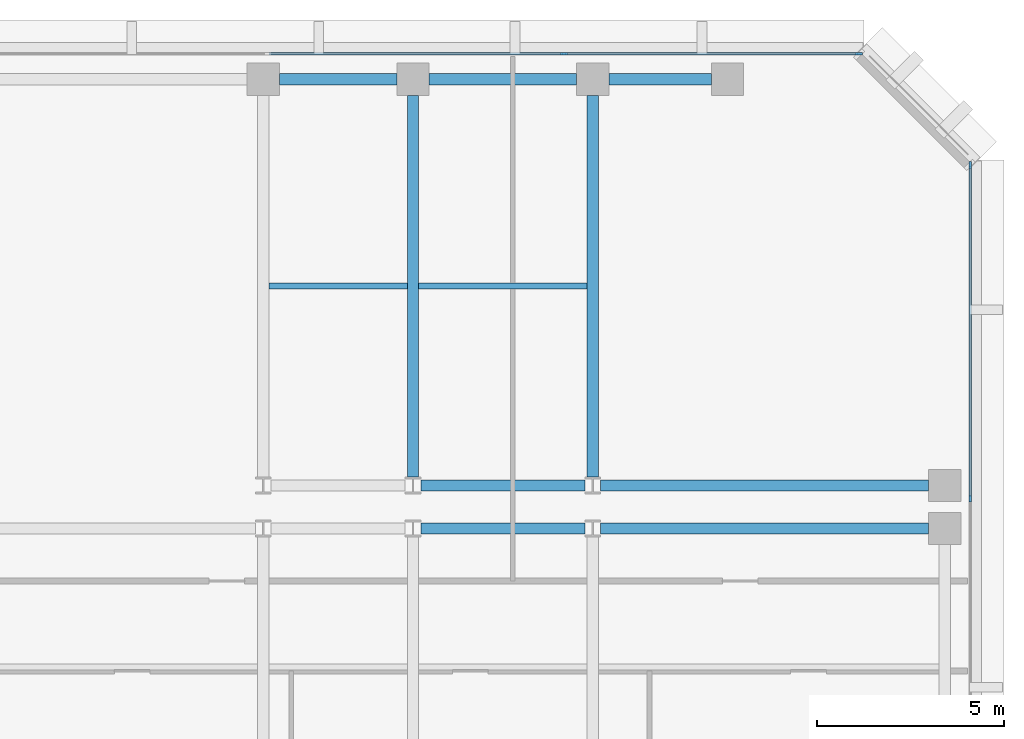
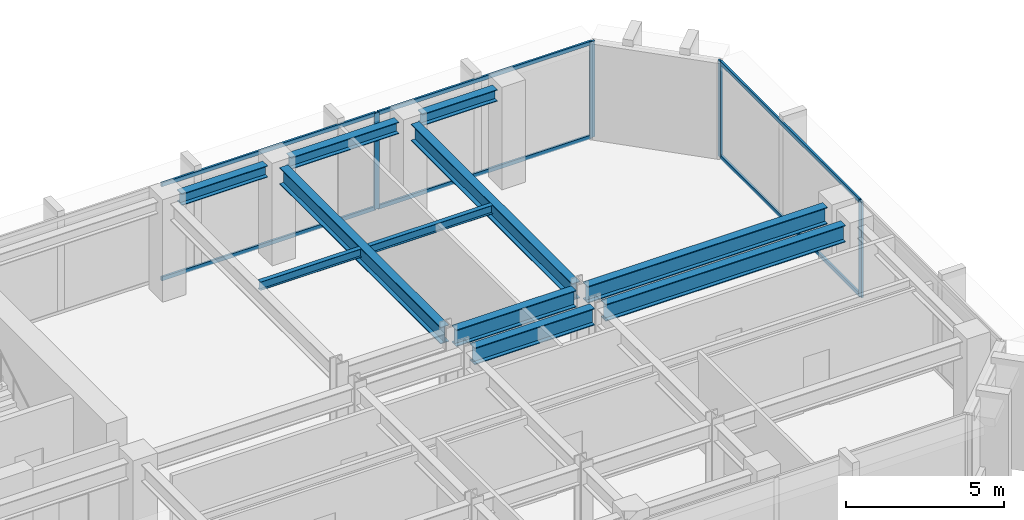
# One storey, part 5 of 11: 11 beams, 10 members, 2 elements without a shape of their own.
"""IFC4 building model written with IfcOpenShell, lengths in metres."""

from ifc_helpers import new_model, si_unit, direction, frame, origin, origin_2d, place, context, subcontext, project, spatial, rectangle, i_section, extrude, material, layer, layer_set, material_profile, profile_set, type_object, element, aggregate, save


model = new_model("IFC4")

# Units and contexts
model_context = context("Model", 3, precision=1e-05, world=origin(), true_north=direction((0.0, 1.0)))
body_context = subcontext(model_context, "Body", "Model", "MODEL_VIEW")
ifc_project = project(units=[si_unit("LENGTHUNIT", "METRE"), si_unit("AREAUNIT", "SQUARE_METRE"), si_unit("VOLUMEUNIT", "CUBIC_METRE"), si_unit("PLANEANGLEUNIT", "RADIAN"), si_unit("MASSUNIT", "GRAM", prefix="KILO")], contexts=[model_context])

# Site, building, storey
site_placement = place(None, origin())
site = spatial("IfcSite", under=ifc_project, at=site_placement, CompositionType="ELEMENT")
building_placement = place(site_placement, origin())
building = spatial("IfcBuilding", under=site, at=building_placement, Name="Kefirva Bronze Tower", CompositionType="ELEMENT")
storey_placement = place(building_placement, frame((0.0, 0.0, 150.81005859375)))
storey = spatial("IfcBuildingStorey", under=building, at=storey_placement, Name="L36", CompositionType="ELEMENT", Elevation=150.81005859375)

# Curtain wall, members
ifc_material_1 = material(Name="Bronze anodised aluminium", Category="aluminium")
ifc_layer = layer(ifc_material_1, 0.199951171875, Name="Bronze anodised aluminium")
ifc_layer_set = layer_set([ifc_layer], Name="Bronze anodised aluminium")
curtain_wall_type = type_object("IfcCurtainWallType", Name="Unitised Bronze Ribbon Curtain Wall Zone 2", PredefinedType="USERDEFINED", material=ifc_layer_set)
curtain_wall_1_placement = place(storey_placement, origin())
curtain_wall_1 = element("IfcCurtainWall", 1, at=curtain_wall_1_placement, inside=storey, type_object=curtain_wall_type, Name="L36 Curtain Wall 4", ObjectType="UNITISED CURTAIN WALL", PredefinedType="USERDEFINED")
ifc_material_profile_1 = material_profile(ifc_material_1, rectangle(XDim=0.074951171875, YDim=0.179931640625, at=origin_2d()), Name="ALU 75x180")
ifc_profile_set_1 = profile_set([ifc_material_profile_1], Name="Bronze anodised aluminium")
member_type_1 = type_object("IfcMemberType", Name="Bronze Mullion 75x180", PredefinedType="MULLION", material=ifc_profile_set_1)
member_1_placement = place(storey_placement, frame((50.080078125, 34.0, 0.0), z_axis=(0.0, 0.0, 1.0), x_axis=(-1.0, 0.0, 0.0)))
member_1 = element("IfcMember", 2, at=member_1_placement, type_object=member_type_1, Name="CW-02 mullion 2", PredefinedType="MULLION", context=body_context, shape_type="SweptSolid", body=[
    extrude(rectangle(XDim=0.074951171875, YDim=0.179931640625, at=origin_2d()), origin(), (0.0, 0.0, 1.0), 3.7099609375),
])
member_2_placement = place(storey_placement, frame((50.080078125, 42.907470703125, 0.0), z_axis=(0.0, 0.0, 1.0), x_axis=(-1.0, 0.0, 0.0)))
member_2 = element("IfcMember", 3, at=member_2_placement, type_object=member_type_1, Name="CW-02 mullion 3", PredefinedType="MULLION", context=body_context, shape_type="SweptSolid", body=[
    extrude(rectangle(XDim=0.074951171875, YDim=0.179931640625, at=origin_2d()), origin(), (0.0, 0.0, 1.0), 3.7099609375),
])

curtain_wall_2_placement = place(storey_placement, origin())
curtain_wall_2 = element("IfcCurtainWall", 4, at=curtain_wall_2_placement, inside=storey, type_object=curtain_wall_type, Name="L36 Curtain Wall 5", ObjectType="UNITISED CURTAIN WALL", PredefinedType="USERDEFINED")
member_3_placement = place(storey_placement, frame((47.107421875, 45.8798828125, 0.0), z_axis=(0.0, 0.0, 1.0), x_axis=(0.0, -1.0, 0.0)))
member_3 = element("IfcMember", 5, at=member_3_placement, type_object=member_type_1, Name="CW-02 mullion 1", PredefinedType="MULLION", context=body_context, shape_type="SweptSolid", body=[
    extrude(rectangle(XDim=0.074951171875, YDim=0.179931640625, at=origin_2d()), origin(), (0.0, 0.0, 1.0), 3.7099609375),
])
member_4_placement = place(storey_placement, frame((39.231689453125, 45.8798828125, 0.0), z_axis=(0.0, 0.0, 1.0), x_axis=(0.0, -1.0, 0.0)))
member_4 = element("IfcMember", 6, at=member_4_placement, type_object=member_type_1, Name="CW-02 mullion 2", PredefinedType="MULLION", context=body_context, shape_type="SweptSolid", body=[
    extrude(rectangle(XDim=0.074951171875, YDim=0.179931640625, at=origin_2d()), origin(), (0.0, 0.0, 1.0), 3.7099609375),
])

# Member
ifc_material_profile_2 = material_profile(ifc_material_1, rectangle(XDim=0.074951171875, YDim=0.14990234375, at=origin_2d()), Name="ALU 75x150")
ifc_profile_set_2 = profile_set([ifc_material_profile_2], Name="Bronze anodised aluminium")
member_type_2 = type_object("IfcMemberType", Name="Bronze Transom 75x150", PredefinedType="USERDEFINED", material=ifc_profile_set_2)
member_5_placement = place(storey_placement, frame((50.080078125, 34.03759765625, 0.037353515625), z_axis=(0.0, 1.0, 0.0), x_axis=(-1.0, 0.0, 0.0)))
member_5 = element("IfcMember", 7, at=member_5_placement, type_object=member_type_2, Name="CW-02 transom 2.1", ObjectType="TRANSOM", PredefinedType="USERDEFINED", context=body_context, shape_type="SweptSolid", body=[
    extrude(rectangle(XDim=0.074951171875, YDim=0.14990234375, at=origin_2d()), origin(), (0.0, 0.0, 1.0), 8.83251953125),
])

member_6_placement = place(storey_placement, frame((50.080078125, 34.03759765625, 3.67236328125), z_axis=(0.0, 1.0, 0.0), x_axis=(-1.0, 0.0, 0.0)))
member_6 = element("IfcMember", 8, at=member_6_placement, type_object=member_type_2, Name="CW-02 transom 2.2", ObjectType="TRANSOM", PredefinedType="USERDEFINED", context=body_context, shape_type="SweptSolid", body=[
    extrude(rectangle(XDim=0.074951171875, YDim=0.14990234375, at=origin_2d()), origin(), (0.0, 0.0, 1.0), 8.83251953125),
])

aggregate(curtain_wall_1, [member_1, member_2, member_5, member_6])

member_7_placement = place(storey_placement, frame((47.070068359375, 45.8798828125, 0.037353515625), z_axis=(-1.0, 0.0, 0.0), x_axis=(0.0, -1.0, 0.0)))
member_7 = element("IfcMember", 9, at=member_7_placement, type_object=member_type_2, Name="CW-02 transom 1.1", ObjectType="TRANSOM", PredefinedType="USERDEFINED", context=body_context, shape_type="SweptSolid", body=[
    extrude(rectangle(XDim=0.074951171875, YDim=0.14990234375, at=origin_2d()), origin(), (0.0, 0.0, 1.0), 7.80078125),
])

member_8_placement = place(storey_placement, frame((47.070068359375, 45.8798828125, 3.67236328125), z_axis=(-1.0, 0.0, 0.0), x_axis=(0.0, -1.0, 0.0)))
member_8 = element("IfcMember", 10, at=member_8_placement, type_object=member_type_2, Name="CW-02 transom 1.2", ObjectType="TRANSOM", PredefinedType="USERDEFINED", context=body_context, shape_type="SweptSolid", body=[
    extrude(rectangle(XDim=0.074951171875, YDim=0.14990234375, at=origin_2d()), origin(), (0.0, 0.0, 1.0), 7.80078125),
])

member_9_placement = place(storey_placement, frame((39.194091796875, 45.8798828125, 0.037353515625), z_axis=(-1.0, 0.0, 0.0), x_axis=(0.0, -1.0, 0.0)))
member_9 = element("IfcMember", 11, at=member_9_placement, type_object=member_type_2, Name="CW-02 transom 2.1", ObjectType="TRANSOM", PredefinedType="USERDEFINED", context=body_context, shape_type="SweptSolid", body=[
    extrude(rectangle(XDim=0.074951171875, YDim=0.14990234375, at=origin_2d()), origin(), (0.0, 0.0, 1.0), 7.83837890625),
])

member_10_placement = place(storey_placement, frame((39.194091796875, 45.8798828125, 3.67236328125), z_axis=(-1.0, 0.0, 0.0), x_axis=(0.0, -1.0, 0.0)))
member_10 = element("IfcMember", 12, at=member_10_placement, type_object=member_type_2, Name="CW-02 transom 2.2", ObjectType="TRANSOM", PredefinedType="USERDEFINED", context=body_context, shape_type="SweptSolid", body=[
    extrude(rectangle(XDim=0.074951171875, YDim=0.14990234375, at=origin_2d()), origin(), (0.0, 0.0, 1.0), 7.83837890625),
])

aggregate(curtain_wall_2, [member_3, member_4, member_7, member_8, member_9, member_10])

# Beams
ifc_material_2 = material(Name="Steel S355", Category="steel")
ifc_material_profile_3 = material_profile(ifc_material_2, i_section(OverallWidth=0.159912109375, OverallDepth=0.330078125, WebThickness=0.007568359375, FlangeThickness=0.011474609375, at=origin_2d()), Name="IPE 330")
ifc_profile_set_3 = profile_set([ifc_material_profile_3], Name="Steel S355")
beam_type_1 = type_object("IfcBeamType", Name="Steel Floor Joist IPE 330", PredefinedType="JOIST", material=ifc_profile_set_3)
beam_1_placement = place(storey_placement, frame((31.35009765625, 39.673583984375, 3.544921875), z_axis=(1.0, 0.0, 0.0), x_axis=(0.0, 1.0, 0.0)))
element("IfcBeam", 13, at=beam_1_placement, inside=storey, type_object=beam_type_1, Name="L36 JST-L36-31-396", PredefinedType="JOIST", context=body_context, shape_type="SweptSolid", body=[
    extrude(i_section(OverallWidth=0.159912109375, OverallDepth=0.330078125, WebThickness=0.007568359375, FlangeThickness=0.011474609375, at=origin_2d()), origin(), (0.0, 0.0, 1.0), 3.699951171875),
])
beam_2_placement = place(storey_placement, frame((35.35009765625, 39.673583984375, 3.544921875), z_axis=(1.0, 0.0, 0.0), x_axis=(0.0, 1.0, 0.0)))
element("IfcBeam", 14, at=beam_2_placement, inside=storey, type_object=beam_type_1, Name="L36 JST-L36-35-396", PredefinedType="JOIST", context=body_context, shape_type="SweptSolid", body=[
    extrude(i_section(OverallWidth=0.159912109375, OverallDepth=0.330078125, WebThickness=0.007568359375, FlangeThickness=0.011474609375, at=origin_2d()), origin(), (0.0, 0.0, 1.0), 4.5),
])
ifc_material_profile_4 = material_profile(ifc_material_2, i_section(OverallWidth=0.300048828125, OverallDepth=0.64990234375, WebThickness=0.01611328125, FlangeThickness=0.031005859375, at=origin_2d()), Name="HEB 650")
ifc_profile_set_4 = profile_set([ifc_material_profile_4], Name="Steel S355")
beam_type_2 = type_object("IfcBeamType", Name="Steel Girder HEB 650", PredefinedType="USERDEFINED", material=ifc_profile_set_4)
beam_3_placement = place(storey_placement, frame((35.408935546875, 33.199951171875, 3.385009765625), z_axis=(1.0, 0.0, 0.0), x_axis=(0.0, 1.0, 0.0)))
element("IfcBeam", 15, at=beam_3_placement, inside=storey, type_object=beam_type_2, Name="L36 BM-L36-EW-35-332", ObjectType="GIRDER", PredefinedType="USERDEFINED", context=body_context, shape_type="SweptSolid", body=[
    extrude(i_section(OverallWidth=0.300048828125, OverallDepth=0.64990234375, WebThickness=0.01611328125, FlangeThickness=0.031005859375, at=origin_2d()), origin(), (0.0, 0.0, 1.0), 4.382080078125),
])
beam_4_placement = place(storey_placement, frame((40.208984375, 33.199951171875, 3.385009765625), z_axis=(1.0, 0.0, 0.0), x_axis=(0.0, 1.0, 0.0)))
element("IfcBeam", 16, at=beam_4_placement, inside=storey, type_object=beam_type_2, Name="L36 BM-L36-EW-40-332", ObjectType="GIRDER", PredefinedType="USERDEFINED", context=body_context, shape_type="SweptSolid", body=[
    extrude(i_section(OverallWidth=0.300048828125, OverallDepth=0.64990234375, WebThickness=0.01611328125, FlangeThickness=0.031005859375, at=origin_2d()), origin(), (0.0, 0.0, 1.0), 8.760986328125),
])
beam_5_placement = place(storey_placement, frame((35.408935546875, 34.35009765625, 3.385009765625), z_axis=(1.0, 0.0, 0.0), x_axis=(0.0, 1.0, 0.0)))
element("IfcBeam", 17, at=beam_5_placement, inside=storey, type_object=beam_type_2, Name="L36 BM-L36-EW-35-344", ObjectType="GIRDER", PredefinedType="USERDEFINED", context=body_context, shape_type="SweptSolid", body=[
    extrude(i_section(OverallWidth=0.300048828125, OverallDepth=0.64990234375, WebThickness=0.01611328125, FlangeThickness=0.031005859375, at=origin_2d()), origin(), (0.0, 0.0, 1.0), 4.382080078125),
])
beam_6_placement = place(storey_placement, frame((40.208984375, 34.35009765625, 3.385009765625), z_axis=(1.0, 0.0, 0.0), x_axis=(0.0, 1.0, 0.0)))
element("IfcBeam", 18, at=beam_6_placement, inside=storey, type_object=beam_type_2, Name="L36 BM-L36-EW-40-344", ObjectType="GIRDER", PredefinedType="USERDEFINED", context=body_context, shape_type="SweptSolid", body=[
    extrude(i_section(OverallWidth=0.300048828125, OverallDepth=0.64990234375, WebThickness=0.01611328125, FlangeThickness=0.031005859375, at=origin_2d()), origin(), (0.0, 0.0, 1.0), 8.760986328125),
])
for number, where, z_axis, x_axis, name in (
    (19, (35.199951171875, 34.577392578125, 3.385009765625), (0.0, 1.0, 0.0), (-1.0, 0.0, 0.0), "L36 BM-L36-NS-352-34"),
    (20, (40.0, 34.577392578125, 3.385009765625), (0.0, 1.0, 0.0), (-1.0, 0.0, 0.0), "L36 BM-L36-NS-400-34"),
):
    element("IfcBeam", number, at=place(storey_placement, frame(where, z_axis=z_axis, x_axis=x_axis)), inside=storey, type_object=beam_type_2, Name=name, ObjectType="GIRDER", PredefinedType="USERDEFINED", context=body_context, shape_type="SweptSolid", body=[
        extrude(i_section(OverallWidth=0.300048828125, OverallDepth=0.64990234375, WebThickness=0.01611328125, FlangeThickness=0.031005859375, at=origin_2d()), origin(), (0.0, 0.0, 1.0), 10.192626953125),
    ])
ifc_material_profile_5 = material_profile(ifc_material_2, i_section(OverallWidth=0.300048828125, OverallDepth=0.449951171875, WebThickness=0.013916015625, FlangeThickness=0.02587890625, at=origin_2d()), Name="HEB 450")
ifc_profile_set_5 = profile_set([ifc_material_profile_5], Name="Steel S355")
beam_type_3 = type_object("IfcBeamType", Name="Steel Spandrel HEB 450 Ext", PredefinedType="SPANDREL", material=ifc_profile_set_5)
beam_7_placement = place(storey_placement, frame((31.6298828125, 45.199951171875, 3.48486328125), z_axis=(1.0, 0.0, 0.0), x_axis=(0.0, 1.0, 0.0)))
element("IfcBeam", 21, at=beam_7_placement, inside=storey, type_object=beam_type_3, Name="L36 BM-L36-EW-31-452", PredefinedType="SPANDREL", context=body_context, shape_type="SweptSolid", body=[
    extrude(i_section(OverallWidth=0.300048828125, OverallDepth=0.449951171875, WebThickness=0.013916015625, FlangeThickness=0.02587890625, at=origin_2d()), origin(), (0.0, 0.0, 1.0), 3.14013671875),
])
beam_8_placement = place(storey_placement, frame((35.6298828125, 45.199951171875, 3.48486328125), z_axis=(1.0, 0.0, 0.0), x_axis=(0.0, 1.0, 0.0)))
element("IfcBeam", 22, at=beam_8_placement, inside=storey, type_object=beam_type_3, Name="L36 BM-L36-EW-35-452", PredefinedType="SPANDREL", context=body_context, shape_type="SweptSolid", body=[
    extrude(i_section(OverallWidth=0.300048828125, OverallDepth=0.449951171875, WebThickness=0.013916015625, FlangeThickness=0.02587890625, at=origin_2d()), origin(), (0.0, 0.0, 1.0), 3.940185546875),
])
beam_9_placement = place(storey_placement, frame((40.429931640625, 45.199951171875, 3.48486328125), z_axis=(1.0, 0.0, 0.0), x_axis=(0.0, 1.0, 0.0)))
element("IfcBeam", 23, at=beam_9_placement, inside=storey, type_object=beam_type_3, Name="L36 BM-L36-EW-40-452", PredefinedType="SPANDREL", context=body_context, shape_type="SweptSolid", body=[
    extrude(i_section(OverallWidth=0.300048828125, OverallDepth=0.449951171875, WebThickness=0.013916015625, FlangeThickness=0.02587890625, at=origin_2d()), origin(), (0.0, 0.0, 1.0), 2.739990234375),
])

save(model, "model.ifc")
